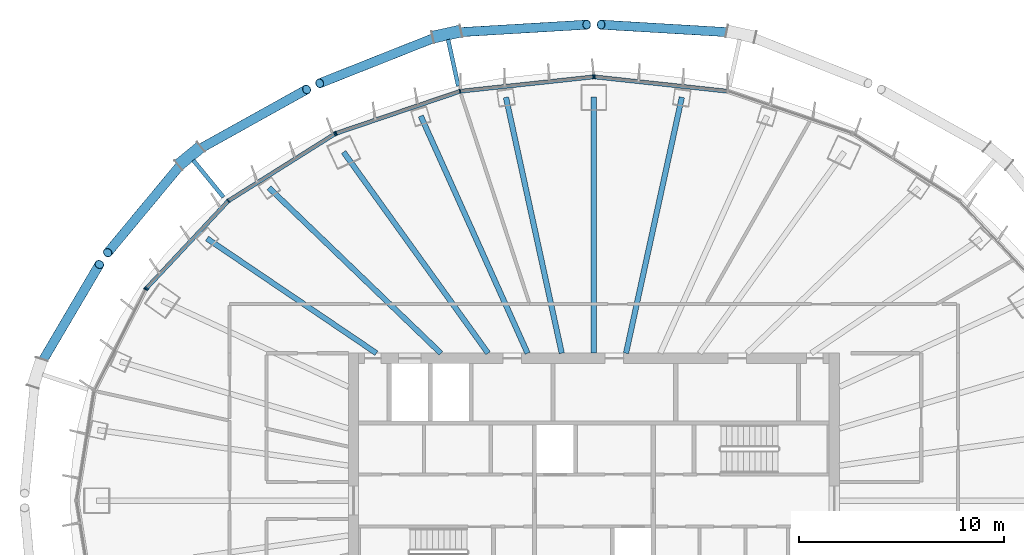
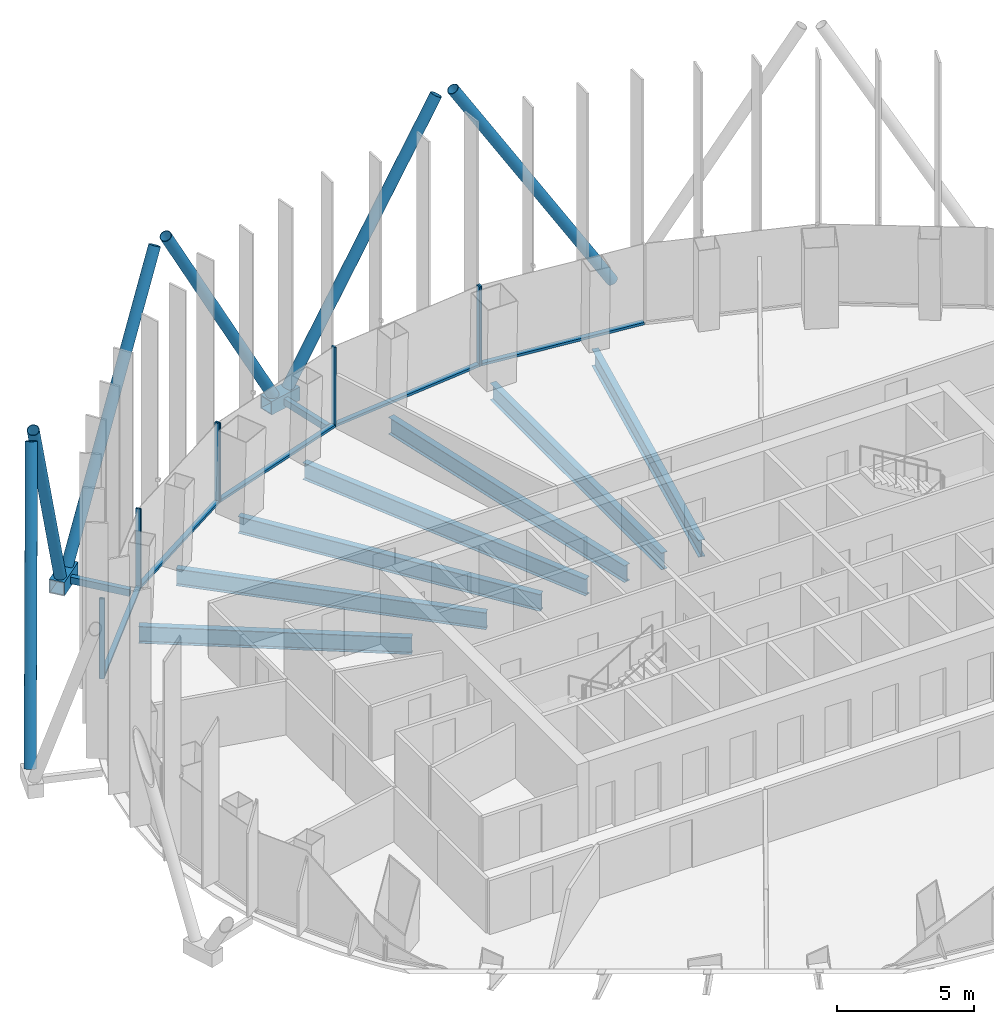
# One storey, part 5 of 19: 23 members, 7 beams, 4 elements without a shape of their own.
"""IFC4 building model written with IfcOpenShell, lengths in metres."""

from ifc_helpers import new_model, si_unit, direction, frame, origin, origin_2d, place, context, subcontext, project, spatial, rectangle, hollow_rectangle, hollow_circle, i_section, extrude, material, layer, layer_set, material_profile, profile_set, type_object, element, aggregate, save


model = new_model("IFC4")

# Units and contexts
model_context = context("Model", 3, precision=1e-05, world=origin(), true_north=direction((0.0, 1.0)))
body_context = subcontext(model_context, "Body", "Model", "MODEL_VIEW")
ifc_project = project(units=[si_unit("LENGTHUNIT", "METRE"), si_unit("AREAUNIT", "SQUARE_METRE"), si_unit("VOLUMEUNIT", "CUBIC_METRE"), si_unit("PLANEANGLEUNIT", "RADIAN"), si_unit("MASSUNIT", "GRAM", prefix="KILO")], contexts=[model_context])

# Site, building, storey
site_placement = place(None, origin())
site = spatial("IfcSite", under=ifc_project, at=site_placement, CompositionType="ELEMENT")
building_placement = place(site_placement, origin())
building = spatial("IfcBuilding", under=site, at=building_placement, Name="Siaravel Broadcast Tower", CompositionType="ELEMENT")
storey_placement = place(building_placement, frame((0.0, 0.0, 119.300048828125)))
storey = spatial("IfcBuildingStorey", under=building, at=storey_placement, Name="L28", CompositionType="ELEMENT", Elevation=119.300048828125)

# Beams
ifc_material_1 = material(Name="Steel S355", Category="steel")
ifc_material_profile_1 = material_profile(ifc_material_1, i_section(OverallWidth=0.26513671875, OverallDepth=0.75390625, WebThickness=0.0126953125, FlangeThickness=0.017578125, FilletRadius=0.0166015625, at=origin_2d()))
ifc_profile_set_1 = profile_set([ifc_material_profile_1], Name="Steel S355")
beam_type = type_object("IfcBeamType", Name="BM-UB 762x267x147", PredefinedType="BEAM", material=ifc_profile_set_1)
beam_1_placement = place(storey_placement, frame((4.298583984375, 19.708251953125, -0.527099609375), z_axis=(-0.213106507, -0.977028974, 0.0), x_axis=(0.977028974, -0.213106507, 0.0)))
element("IfcBeam", 1, at=beam_1_placement, inside=storey, type_object=beam_type, Name="Radial beam RB09", PredefinedType="BEAM", context=body_context, shape_type="SweptSolid", body=[
    extrude(i_section(OverallWidth=0.26513671875, OverallDepth=0.75390625, WebThickness=0.0126953125, FlangeThickness=0.017578125, FilletRadius=0.0166015625, at=origin_2d()), origin(), (0.0, 0.0, 1.0), 12.802490234375),
])
beam_2_placement = place(storey_placement, frame((0.0, 19.71630859375, -0.527099609375), z_axis=(0.0, -1.0, 0.0), x_axis=(1.0, 0.0, 0.0)))
element("IfcBeam", 2, at=beam_2_placement, inside=storey, type_object=beam_type, Name="Radial beam RB10", PredefinedType="BEAM", context=body_context, shape_type="SweptSolid", body=[
    extrude(i_section(OverallWidth=0.26513671875, OverallDepth=0.75390625, WebThickness=0.0126953125, FlangeThickness=0.017578125, FilletRadius=0.0166015625, at=origin_2d()), origin(), (0.0, 0.0, 1.0), 12.516357421875),
])
beam_3_placement = place(storey_placement, frame((-4.298583984375, 19.708251953125, -0.527099609375), z_axis=(0.213106507, -0.977028974, 0.0), x_axis=(0.977028974, 0.213106507, 0.0)))
element("IfcBeam", 3, at=beam_3_placement, inside=storey, type_object=beam_type, Name="Radial beam RB11", PredefinedType="BEAM", context=body_context, shape_type="SweptSolid", body=[
    extrude(i_section(OverallWidth=0.26513671875, OverallDepth=0.75390625, WebThickness=0.0126953125, FlangeThickness=0.017578125, FilletRadius=0.0166015625, at=origin_2d()), origin(), (0.0, 0.0, 1.0), 12.802490234375),
])
beam_4_placement = place(storey_placement, frame((-8.46337890625, 18.794189453125, -0.527099609375), z_axis=(0.410612147, -0.911810103, 0.0), x_axis=(0.911810103, 0.410612147, 0.0)))
element("IfcBeam", 4, at=beam_4_placement, inside=storey, type_object=beam_type, Name="Radial beam RB12", PredefinedType="BEAM", context=body_context, shape_type="SweptSolid", body=[
    extrude(i_section(OverallWidth=0.26513671875, OverallDepth=0.75390625, WebThickness=0.0126953125, FlangeThickness=0.017578125, FilletRadius=0.0166015625, at=origin_2d()), origin(), (0.0, 0.0, 1.0), 12.715576171875),
])
beam_5_placement = place(storey_placement, frame((-12.236328125, 17.032958984375, -0.527099609375), z_axis=(0.583444902, -0.812152723, 0.0), x_axis=(0.812152723, 0.583444902, 0.0)))
element("IfcBeam", 5, at=beam_5_placement, inside=storey, type_object=beam_type, Name="Radial beam RB13", PredefinedType="BEAM", context=body_context, shape_type="SweptSolid", body=[
    extrude(i_section(OverallWidth=0.26513671875, OverallDepth=0.75390625, WebThickness=0.0126953125, FlangeThickness=0.017578125, FilletRadius=0.0166015625, at=origin_2d()), origin(), (0.0, 0.0, 1.0), 12.107421875),
])
beam_6_placement = place(storey_placement, frame((-15.882080078125, 15.286865234375, -0.527099609375), z_axis=(0.720471293, -0.693484762, 0.0), x_axis=(0.693484762, 0.720471293, 0.0)))
element("IfcBeam", 6, at=beam_6_placement, inside=storey, type_object=beam_type, Name="Radial beam RB14", PredefinedType="BEAM", context=body_context, shape_type="SweptSolid", body=[
    extrude(i_section(OverallWidth=0.26513671875, OverallDepth=0.75390625, WebThickness=0.0126953125, FlangeThickness=0.017578125, FilletRadius=0.0166015625, at=origin_2d()), origin(), (0.0, 0.0, 1.0), 11.661376953125),
])
beam_7_placement = place(storey_placement, frame((-18.90869140625, 12.80810546875, -0.527099609375), z_axis=(0.827929661, -0.56083195, 0.0), x_axis=(0.56083195, 0.827929661, 0.0)))
element("IfcBeam", 7, at=beam_7_placement, inside=storey, type_object=beam_type, Name="Radial beam RB15", PredefinedType="BEAM", context=body_context, shape_type="SweptSolid", body=[
    extrude(i_section(OverallWidth=0.26513671875, OverallDepth=0.75390625, WebThickness=0.0126953125, FlangeThickness=0.017578125, FilletRadius=0.0166015625, at=origin_2d()), origin(), (0.0, 0.0, 1.0), 9.999755859375),
])

# Curtain wall, member
ifc_material_2 = material(Name="Aluminium 6063-T6", Category="aluminium")
ifc_layer = layer(ifc_material_2, 0.199951171875)
ifc_layer_set = layer_set([ifc_layer], Name="Aluminium 6063-T6")
curtain_wall_type = type_object("IfcCurtainWallType", Name="Unitised curtain wall, zone 2", PredefinedType="NOTDEFINED", material=ifc_layer_set)
curtain_wall_1_placement = place(storey_placement, origin())
curtain_wall_1 = element("IfcCurtainWall", 8, at=curtain_wall_1_placement, inside=storey, type_object=curtain_wall_type, Name="L28 Unitised curtain wall, zone 2 03", PredefinedType="NOTDEFINED")
ifc_material_profile_2 = material_profile(ifc_material_2, rectangle(XDim=0.199951171875, YDim=0.06494140625, at=origin_2d()))
ifc_profile_set_2 = profile_set([ifc_material_profile_2], Name="Aluminium 6063-T6")
member_type_1 = type_object("IfcMemberType", Name="CW-Z2 mullion", PredefinedType="MULLION", material=ifc_profile_set_2)
member_1_placement = place(storey_placement, frame((0.0322265625, 20.705322265625, 0.0), z_axis=(0.0, 0.0, 1.0), x_axis=(-0.107217485, -0.994235591, 0.0)))
member_1 = element("IfcMember", 9, at=member_1_placement, type_object=member_type_1, Name="CW-Z2 mullion 3", PredefinedType="MULLION", context=body_context, shape_type="SweptSolid", body=[
    extrude(rectangle(XDim=0.199951171875, YDim=0.06494140625, at=origin_2d()), origin(), (0.0, 0.0, 1.0), 3.550048828125),
])

# Curtain wall, members
curtain_wall_2_placement = place(storey_placement, origin())
curtain_wall_2 = element("IfcCurtainWall", 10, at=curtain_wall_2_placement, inside=storey, type_object=curtain_wall_type, Name="L28 Unitised curtain wall, zone 2 04", PredefinedType="NOTDEFINED")
member_2_placement = place(storey_placement, frame((-0.0322265625, 20.705322265625, 0.0), z_axis=(0.0, 0.0, 1.0), x_axis=(0.107217485, -0.994235591, 0.0)))
member_2 = element("IfcMember", 11, at=member_2_placement, type_object=member_type_1, Name="CW-Z2 mullion 1", PredefinedType="MULLION", context=body_context, shape_type="SweptSolid", body=[
    extrude(rectangle(XDim=0.199951171875, YDim=0.06494140625, at=origin_2d()), origin(), (0.0, 0.0, 1.0), 3.550048828125),
])
member_3_placement = place(storey_placement, frame((-6.538330078125, 20.00390625, 0.0), z_axis=(0.0, 0.0, 1.0), x_axis=(0.215558052, -0.976491027, 0.0)))
member_3 = element("IfcMember", 12, at=member_3_placement, type_object=member_type_1, Name="CW-Z2 mullion 2", PredefinedType="MULLION", context=body_context, shape_type="SweptSolid", body=[
    extrude(rectangle(XDim=0.199951171875, YDim=0.06494140625, at=origin_2d()), origin(), (0.0, 0.0, 1.0), 3.550048828125),
])
member_4_placement = place(storey_placement, frame((-12.60107421875, 17.94677734375, 0.0), z_axis=(0.0, 0.0, 1.0), x_axis=(0.321300596, -0.946977258, 0.0)))
member_4 = element("IfcMember", 13, at=member_4_placement, type_object=member_type_1, Name="CW-Z2 mullion 3", PredefinedType="MULLION", context=body_context, shape_type="SweptSolid", body=[
    extrude(rectangle(XDim=0.199951171875, YDim=0.06494140625, at=origin_2d()), origin(), (0.0, 0.0, 1.0), 3.550048828125),
])

curtain_wall_3_placement = place(storey_placement, origin())
curtain_wall_3 = element("IfcCurtainWall", 14, at=curtain_wall_3_placement, inside=storey, type_object=curtain_wall_type, Name="L28 Unitised curtain wall, zone 2 05", PredefinedType="NOTDEFINED")
member_5_placement = place(storey_placement, frame((-12.659423828125, 17.9189453125, 0.0), z_axis=(0.0, 0.0, 1.0), x_axis=(0.532149141, -0.846650632, 0.0)))
member_5 = element("IfcMember", 15, at=member_5_placement, type_object=member_type_1, Name="CW-Z2 mullion 1", PredefinedType="MULLION", context=body_context, shape_type="SweptSolid", body=[
    extrude(rectangle(XDim=0.199951171875, YDim=0.06494140625, at=origin_2d()), origin(), (0.0, 0.0, 1.0), 3.550048828125),
])
member_6_placement = place(storey_placement, frame((-17.86572265625, 14.646728515625, 0.0), z_axis=(0.0, 0.0, 1.0), x_axis=(0.636218518, -0.771508909, 0.0)))
member_6 = element("IfcMember", 16, at=member_6_placement, type_object=member_type_1, Name="CW-Z2 mullion 2", PredefinedType="MULLION", context=body_context, shape_type="SweptSolid", body=[
    extrude(rectangle(XDim=0.199951171875, YDim=0.06494140625, at=origin_2d()), origin(), (0.0, 0.0, 1.0), 3.550048828125),
])
member_7_placement = place(storey_placement, frame((-21.86083984375, 10.382080078125, 0.0), z_axis=(0.0, 0.0, 1.0), x_axis=(0.729805105, -0.683655256, 0.0)))
member_7 = element("IfcMember", 17, at=member_7_placement, type_object=member_type_1, Name="CW-Z2 mullion 3", PredefinedType="MULLION", context=body_context, shape_type="SweptSolid", body=[
    extrude(rectangle(XDim=0.199951171875, YDim=0.06494140625, at=origin_2d()), origin(), (0.0, 0.0, 1.0), 3.550048828125),
])

# Curtain wall, member
curtain_wall_4_placement = place(storey_placement, origin())
curtain_wall_4 = element("IfcCurtainWall", 18, at=curtain_wall_4_placement, inside=storey, type_object=curtain_wall_type, Name="L28 Unitised curtain wall, zone 2 06", PredefinedType="NOTDEFINED")
member_8_placement = place(storey_placement, frame((-21.897705078125, 10.329345703125, 0.0), z_axis=(0.0, 0.0, 1.0), x_axis=(0.892391979, -0.451261073, 0.0)))
member_8 = element("IfcMember", 19, at=member_8_placement, type_object=member_type_1, Name="CW-Z2 mullion 1", PredefinedType="MULLION", context=body_context, shape_type="SweptSolid", body=[
    extrude(rectangle(XDim=0.199951171875, YDim=0.06494140625, at=origin_2d()), origin(), (0.0, 0.0, 1.0), 3.550048828125),
])
aggregate(curtain_wall_4, [member_8])

# Member
ifc_material_profile_3 = material_profile(ifc_material_2, rectangle(XDim=0.199951171875, YDim=0.110107421875, at=origin_2d()))
ifc_profile_set_3 = profile_set([ifc_material_profile_3], Name="Aluminium 6063-T6")
member_type_2 = type_object("IfcMemberType", Name="CW-Z2 transom", PredefinedType="USERDEFINED", material=ifc_profile_set_3)
member_9_placement = place(storey_placement, frame((6.506103515625, 20.00732421875, 0.054931640625), z_axis=(-0.994236504, 0.107209023, 0.0), x_axis=(-0.107209023, -0.994236504, 0.0)))
member_9 = element("IfcMember", 20, at=member_9_placement, type_object=member_type_2, Name="CW-Z2 transom 2", ObjectType="TRANSOM", PredefinedType="USERDEFINED", context=body_context, shape_type="SweptSolid", body=[
    extrude(rectangle(XDim=0.199951171875, YDim=0.110107421875, at=origin_2d()), origin(), (0.0, 0.0, 1.0), 6.478759765625),
])

aggregate(curtain_wall_1, [member_1, member_9])

member_10_placement = place(storey_placement, frame((-0.064697265625, 20.701904296875, 0.054931640625), z_axis=(-0.994236504, -0.107209023, 0.0), x_axis=(0.107209023, -0.994236504, 0.0)))
member_10 = element("IfcMember", 21, at=member_10_placement, type_object=member_type_2, Name="CW-Z2 transom 1", ObjectType="TRANSOM", PredefinedType="USERDEFINED", context=body_context, shape_type="SweptSolid", body=[
    extrude(rectangle(XDim=0.199951171875, YDim=0.110107421875, at=origin_2d()), origin(), (0.0, 0.0, 1.0), 6.478759765625),
])

member_11_placement = place(storey_placement, frame((-6.569091796875, 19.993408203125, 0.054931640625), z_axis=(-0.946978491, -0.321296962, 0.0), x_axis=(0.321296962, -0.946978491, 0.0)))
member_11 = element("IfcMember", 22, at=member_11_placement, type_object=member_type_2, Name="CW-Z2 transom 2", ObjectType="TRANSOM", PredefinedType="USERDEFINED", context=body_context, shape_type="SweptSolid", body=[
    extrude(rectangle(XDim=0.199951171875, YDim=0.110107421875, at=origin_2d()), origin(), (0.0, 0.0, 1.0), 6.337158203125),
])

aggregate(curtain_wall_2, [member_2, member_3, member_4, member_10, member_11])

member_12_placement = place(storey_placement, frame((-12.68701171875, 17.901611328125, 0.054931640625), z_axis=(-0.846658761, -0.532136207, 0.0), x_axis=(0.532136207, -0.846658761, 0.0)))
member_12 = element("IfcMember", 23, at=member_12_placement, type_object=member_type_2, Name="CW-Z2 transom 1", ObjectType="TRANSOM", PredefinedType="USERDEFINED", context=body_context, shape_type="SweptSolid", body=[
    extrude(rectangle(XDim=0.199951171875, YDim=0.110107421875, at=origin_2d()), origin(), (0.0, 0.0, 1.0), 6.083984375),
])

member_13_placement = place(storey_placement, frame((-17.887939453125, 14.623046875, 0.054931640625), z_axis=(-0.683640317, -0.729819099, 0.0), x_axis=(0.729819099, -0.683640317, 0.0)))
member_13 = element("IfcMember", 24, at=member_13_placement, type_object=member_type_2, Name="CW-Z2 transom 2", ObjectType="TRANSOM", PredefinedType="USERDEFINED", context=body_context, shape_type="SweptSolid", body=[
    extrude(rectangle(XDim=0.199951171875, YDim=0.110107421875, at=origin_2d()), origin(), (0.0, 0.0, 1.0), 5.778564453125),
])

aggregate(curtain_wall_3, [member_5, member_6, member_7, member_12, member_13])

# Members
ifc_material_3 = material(Name="Steel S460", Category="steel")
ifc_material_profile_4 = material_profile(ifc_material_3, hollow_circle(Radius=0.228515625, WallThickness=0.02001953125, at=origin_2d()))
ifc_profile_set_4 = profile_set([ifc_material_profile_4], Name="Steel S460")
member_type_3 = type_object("IfcMemberType", Name="Diagrid diagonal CHS 457x20", PredefinedType="BRACE", material=ifc_profile_set_4)
for number, where, z_axis, x_axis, name in (
    (25, (6.84130859375, 22.873779296875, 0.070068359375), (-0.523355869, 0.031047369, 0.85154841), (-0.059219514, -0.998244985, 0.0), "Diagrid diagonal R12 station 15A"),
    (26, (-6.84130859375, 22.873779296875, 0.070068359375), (0.523355869, 0.031047369, 0.85154841), (-0.059219514, 0.998244985, 0.0), "Diagrid diagonal R12 station 21C"),
):
    element("IfcMember", number, at=place(storey_placement, frame(where, z_axis=z_axis, x_axis=x_axis)), inside=storey, type_object=member_type_3, Name=name, PredefinedType="BRACE", context=body_context, shape_type="SweptSolid", body=[
        extrude(hollow_circle(Radius=0.228515625, WallThickness=0.02001953125, at=origin_2d()), origin(), (0.0, 0.0, 1.0), 12.400634765625),
    ])
member_14_placement = place(storey_placement, frame((-7.527587890625, 22.72314453125, 0.070068359375), z_axis=(-0.477496257, -0.189415577, 0.857973813), x_axis=(0.368732724, -0.929535464, 0.0)))
element("IfcMember", 27, at=member_14_placement, inside=storey, type_object=member_type_3, Name="Diagrid diagonal R12 station 21A", PredefinedType="BRACE", context=body_context, shape_type="SweptSolid", body=[
    extrude(hollow_circle(Radius=0.228515625, WallThickness=0.02001953125, at=origin_2d()), origin(), (0.0, 0.0, 1.0), 12.307861328125),
])
member_15_placement = place(storey_placement, frame((-19.4814453125, 17.064453125, 0.070068359375), z_axis=(0.443890215, 0.246908829, 0.861392772), x_axis=(-0.486098934, 0.873903786, 0.0)))
element("IfcMember", 28, at=member_15_placement, inside=storey, type_object=member_type_3, Name="Diagrid diagonal R12 station 27C", PredefinedType="BRACE", context=body_context, shape_type="SweptSolid", body=[
    extrude(hollow_circle(Radius=0.228515625, WallThickness=0.02001953125, at=origin_2d()), origin(), (0.0, 0.0, 1.0), 12.259033203125),
])
member_16_placement = place(storey_placement, frame((-20.02490234375, 16.619384765625, 0.070068359375), z_axis=(-0.309745387, -0.373093666, 0.874562126), x_axis=(0.769402538, -0.638764225, 0.0)))
element("IfcMember", 29, at=member_16_placement, inside=storey, type_object=member_type_3, Name="Diagrid diagonal R12 station 27A", PredefinedType="BRACE", context=body_context, shape_type="SweptSolid", body=[
    extrude(hollow_circle(Radius=0.228515625, WallThickness=0.02001953125, at=origin_2d()), origin(), (0.0, 0.0, 1.0), 12.074462890625),
])
member_17_placement = place(storey_placement, frame((-27.0947265625, 6.570556640625, 0.070068359375), z_axis=(0.243110195, 0.413049923, 0.877660067), x_axis=(-0.861806851, 0.507236583, 0.0)))
element("IfcMember", 30, at=member_17_placement, inside=storey, type_object=member_type_3, Name="Diagrid diagonal R12 station 33C", PredefinedType="BRACE", context=body_context, shape_type="SweptSolid", body=[
    extrude(hollow_circle(Radius=0.228515625, WallThickness=0.02001953125, at=origin_2d()), origin(), (0.0, 0.0, 1.0), 12.03173828125),
])
ifc_material_profile_5 = material_profile(ifc_material_3, hollow_rectangle(XDim=0.60009765625, YDim=0.60009765625, WallThickness=0.0400390625, at=origin_2d()))
ifc_profile_set_5 = profile_set([ifc_material_profile_5], Name="Steel S460")
member_type_4 = type_object("IfcMemberType", Name="Diagrid node BOX 600x600x40", PredefinedType="USERDEFINED", material=ifc_profile_set_5)
for number, where, z_axis, x_axis, name in (
    (31, (-6.5009765625, 22.948486328125, -0.199951171875), (-0.976754142, -0.21436265, 0.0), (0.21436265, -0.976754142, 0.0), "Diagrid node R12 station 21"),
    (32, (-19.2119140625, 17.285400390625, -0.199951171875), (-0.773584133, -0.633693609, 0.0), (0.633693609, -0.773584133, 0.0), "Diagrid node R12 station 27"),
):
    element("IfcMember", number, at=place(storey_placement, frame(where, z_axis=z_axis, x_axis=x_axis)), inside=storey, type_object=member_type_4, Name=name, ObjectType="DIAGRID NODE", PredefinedType="USERDEFINED", context=body_context, shape_type="SweptSolid", body=[
        extrude(hollow_rectangle(XDim=0.60009765625, YDim=0.60009765625, WallThickness=0.0400390625, at=origin_2d()), origin(), (0.0, 0.0, 1.0), 1.399658203125),
    ])
ifc_material_profile_6 = material_profile(ifc_material_3, hollow_rectangle(XDim=0.199951171875, YDim=0.300048828125, WallThickness=0.012451171875, at=origin_2d()))
ifc_profile_set_6 = profile_set([ifc_material_profile_6], Name="Steel S460")
member_type_5 = type_object("IfcMemberType", Name="Diagrid node arm RHS 300x200x12.5", PredefinedType="STRUT", material=ifc_profile_set_6)
member_18_placement = place(storey_placement, frame((-6.627197265625, 20.2587890625, -0.199951171875), z_axis=(-0.2143561, 0.97675558, 0.0), x_axis=(-0.97675558, -0.2143561, 0.0)))
element("IfcMember", 33, at=member_18_placement, inside=storey, type_object=member_type_5, Name="Node arm R12 station 21", PredefinedType="STRUT", context=body_context, shape_type="SweptSolid", body=[
    extrude(hollow_rectangle(XDim=0.199951171875, YDim=0.300048828125, WallThickness=0.012451171875, at=origin_2d()), origin(), (0.0, 0.0, 1.0), 2.330322265625),
])
member_19_placement = place(storey_placement, frame((-18.105712890625, 14.83056640625, -0.199951171875), z_axis=(-0.633637135, 0.77363039, 0.0), x_axis=(-0.77363039, -0.633637135, 0.0)))
element("IfcMember", 34, at=member_19_placement, inside=storey, type_object=member_type_5, Name="Node arm R12 station 27", PredefinedType="STRUT", context=body_context, shape_type="SweptSolid", body=[
    extrude(hollow_rectangle(XDim=0.199951171875, YDim=0.300048828125, WallThickness=0.012451171875, at=origin_2d()), origin(), (0.0, 0.0, 1.0), 2.329833984375),
])

save(model, "model.ifc")
